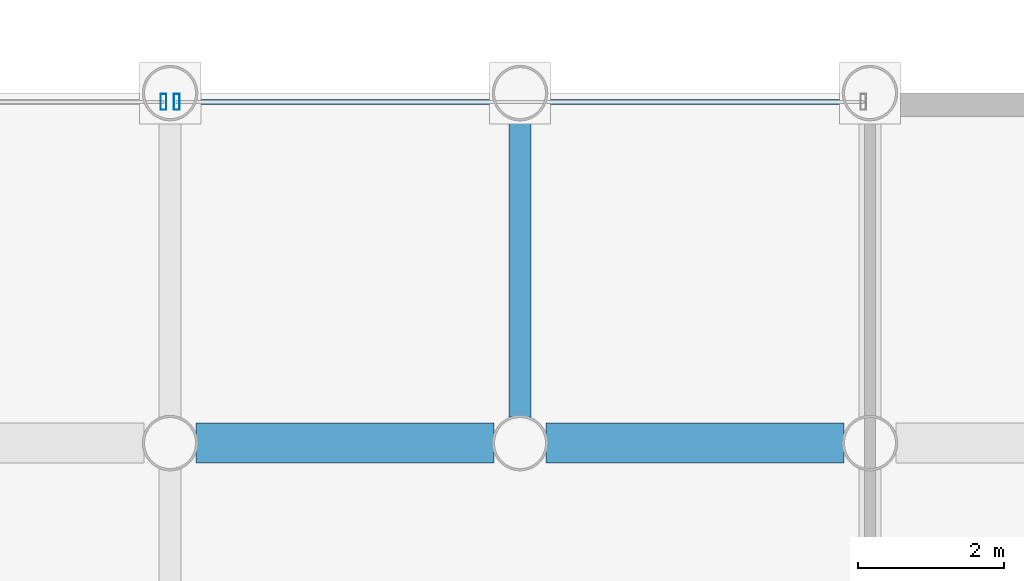
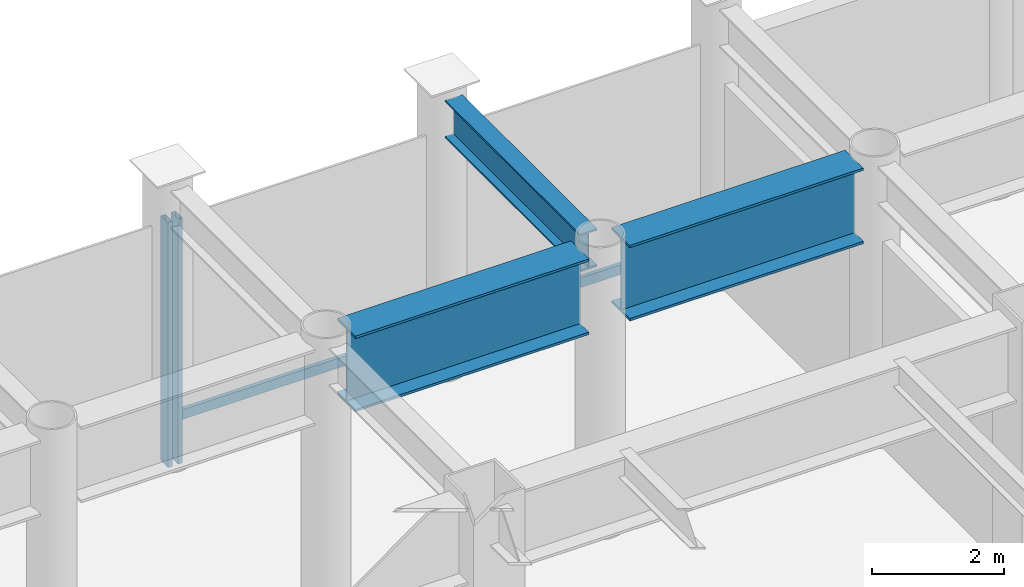
# One storey, part 10 of 20: 3 beams, 3 members, 2 elements without a shape of their own.
"""IFC4 building model written with IfcOpenShell, lengths in metres."""

from ifc_helpers import new_model, si_unit, direction, frame, origin, origin_2d, place, context, subcontext, project, spatial, hollow_rectangle, i_section, extrude, material, layer, layer_set, material_profile, profile_set, type_object, element, aggregate, save


model = new_model("IFC4")

# Units and contexts
model_context = context("Model", 3, precision=1e-05, world=origin(), true_north=direction((0.0, 1.0)))
body_context = subcontext(model_context, "Body", "Model", "MODEL_VIEW")
ifc_project = project(units=[si_unit("LENGTHUNIT", "METRE"), si_unit("AREAUNIT", "SQUARE_METRE"), si_unit("VOLUMEUNIT", "CUBIC_METRE"), si_unit("PLANEANGLEUNIT", "RADIAN"), si_unit("MASSUNIT", "GRAM", prefix="KILO")], contexts=[model_context])

# Site, building, storey
site_placement = place(None, origin())
site = spatial("IfcSite", under=ifc_project, at=site_placement, CompositionType="ELEMENT")
building_placement = place(site_placement, origin())
building = spatial("IfcBuilding", under=site, at=building_placement, Name="Kallvorn Hotel Tower", CompositionType="ELEMENT")
storey_placement = place(building_placement, frame((0.0, 0.0, 24.60009765625)))
storey = spatial("IfcBuildingStorey", under=building, at=storey_placement, Name="L04", CompositionType="ELEMENT", Elevation=24.60009765625)

# Beams
ifc_material_1 = material(Name="Structural steel S355JR", Category="steel")
ifc_material_profile_1 = material_profile(ifc_material_1, i_section(OverallWidth=0.300048828125, OverallDepth=0.699951171875, WebThickness=0.01708984375, FlangeThickness=0.031982421875, at=origin_2d()), Name="HE 700 B")
ifc_profile_set_1 = profile_set([ifc_material_profile_1], Name="Structural steel S355JR")
beam_type_1 = type_object("IfcBeamType", Name="BM_HE700B", PredefinedType="BEAM", material=ifc_profile_set_1)
beam_placement = place(storey_placement, frame((9.60009765625, 19.555908203125, 4.869873046875), z_axis=(0.0, 1.0, 0.0), x_axis=(-1.0, 0.0, 0.0)))
element("IfcBeam", 1, at=beam_placement, inside=storey, type_object=beam_type_1, Name="L05 Primary Y-Girder 145", PredefinedType="BEAM", context=body_context, shape_type="SweptSolid", body=[
    extrude(i_section(OverallWidth=0.300048828125, OverallDepth=0.699951171875, WebThickness=0.01708984375, FlangeThickness=0.031982421875, at=origin_2d()), origin(), (0.0, 0.0, 1.0), 4.088134765625),
])
ifc_material_2 = material(Name="Structural steel S355JR", Category="steel")
ifc_material_profile_2 = material_profile(ifc_material_2, i_section(OverallWidth=0.550048828125, OverallDepth=1.39990234375, WebThickness=0.02490234375, FlangeThickness=0.044921875, at=origin_2d()), Name="PG 1400x550x25x45")
ifc_profile_set_2 = profile_set([ifc_material_profile_2], Name="Structural steel S355JR")
beam_type_2 = type_object("IfcBeamType", Name="BM_PG_1400", PredefinedType="BEAM", material=ifc_profile_set_2)
for number, where, z_axis, x_axis, name in (
    (2, (5.156005859375, 19.199951171875, 4.52001953125), (1.0, 0.0, 0.0), (0.0, 1.0, 0.0), "L05 Primary X-Girder 82"),
    (3, (9.9560546875, 19.199951171875, 4.52001953125), (1.0, 0.0, 0.0), (0.0, 1.0, 0.0), "L05 Primary X-Girder 83"),
):
    element("IfcBeam", number, at=place(storey_placement, frame(where, z_axis=z_axis, x_axis=x_axis)), inside=storey, type_object=beam_type_2, Name=name, PredefinedType="BEAM", context=body_context, shape_type="SweptSolid", body=[
        extrude(i_section(OverallWidth=0.550048828125, OverallDepth=1.39990234375, WebThickness=0.02490234375, FlangeThickness=0.044921875, at=origin_2d()), origin(), (0.0, 0.0, 1.0), 4.087890625),
    ])

# Curtain wall, member
ifc_material_3 = material(Name="Thermally broken black-anodised aluminium AA 6063-T6", Category="aluminium")
ifc_layer = layer(ifc_material_3, 0.219970703125)
ifc_layer_set = layer_set([ifc_layer], Name="CW_SYS_2_PODIUM_CASC")
curtain_wall_type = type_object("IfcCurtainWallType", Name="CW_SYS_2_PODIUM_CASC", PredefinedType="USERDEFINED", material=ifc_layer_set)
curtain_wall_1_placement = place(storey_placement, origin())
curtain_wall_1 = element("IfcCurtainWall", 4, at=curtain_wall_1_placement, inside=storey, type_object=curtain_wall_type, Name="L04 Dark-Glass Curtain Wall CW-L04-N2", ObjectType="UNITISED CURTAIN WALL", PredefinedType="USERDEFINED")
ifc_material_4 = material(Name="Thermally broken black-anodised aluminium AA 6063-T6", Category="aluminium")
ifc_material_profile_3 = material_profile(ifc_material_4, hollow_rectangle(XDim=0.080078125, YDim=0.219970703125, WallThickness=0.0048828125, at=origin_2d()), Name="MUL 220x80")
ifc_profile_set_3 = profile_set([ifc_material_profile_3], Name="Thermally broken black-anodised aluminium AA 6063-T6")
member_type_1 = type_object("IfcMemberType", Name="CW_MULLION_220x80", PredefinedType="MULLION", material=ifc_profile_set_3)
member_1_placement = place(storey_placement, frame((4.7099609375, 23.8798828125, 0.02001953125), z_axis=(0.0, 0.0, 1.0), x_axis=(1.0, 0.0, 0.0)))
member_1 = element("IfcMember", 5, at=member_1_placement, type_object=member_type_1, Name="CW-L04-N2 Mullion 01", PredefinedType="MULLION", context=body_context, shape_type="SweptSolid", body=[
    extrude(hollow_rectangle(XDim=0.080078125, YDim=0.219970703125, WallThickness=0.0048828125, at=origin_2d()), origin(), (0.0, 0.0, 1.0), 4.52978515625),
])
aggregate(curtain_wall_1, [member_1])

# Curtain wall, members
curtain_wall_2_placement = place(storey_placement, origin())
curtain_wall_2 = element("IfcCurtainWall", 6, at=curtain_wall_2_placement, inside=storey, type_object=curtain_wall_type, Name="L04 Dark-Glass Curtain Wall CW-L04-N3", ObjectType="UNITISED CURTAIN WALL", PredefinedType="USERDEFINED")
member_2_placement = place(storey_placement, frame((4.889892578125, 23.8798828125, 0.02001953125), z_axis=(0.0, 0.0, 1.0), x_axis=(1.0, 0.0, 0.0)))
member_2 = element("IfcMember", 7, at=member_2_placement, type_object=member_type_1, Name="CW-L04-N3 Mullion 00", PredefinedType="MULLION", context=body_context, shape_type="SweptSolid", body=[
    extrude(hollow_rectangle(XDim=0.080078125, YDim=0.219970703125, WallThickness=0.0048828125, at=origin_2d()), origin(), (0.0, 0.0, 1.0), 4.52978515625),
])
ifc_material_5 = material(Name="Thermally broken black-anodised aluminium AA 6063-T6", Category="aluminium")
ifc_material_profile_4 = material_profile(ifc_material_5, hollow_rectangle(XDim=0.070068359375, YDim=0.179931640625, WallThickness=0.00390625, at=origin_2d()), Name="TRN 180x70")
ifc_profile_set_4 = profile_set([ifc_material_profile_4], Name="Thermally broken black-anodised aluminium AA 6063-T6")
member_type_2 = type_object("IfcMemberType", Name="CW_TRANSOM_180x70", PredefinedType="USERDEFINED", material=ifc_profile_set_4)
member_3_placement = place(storey_placement, frame((4.889892578125, 23.8798828125, 0.849853515625), z_axis=(1.0, 0.0, 0.0), x_axis=(0.0, 1.0, 0.0)))
member_3 = element("IfcMember", 8, at=member_3_placement, type_object=member_type_2, Name="CW-L04-N3 Transom 00M", ObjectType="TRANSOM", PredefinedType="USERDEFINED", context=body_context, shape_type="SweptSolid", body=[
    extrude(hollow_rectangle(XDim=0.070068359375, YDim=0.179931640625, WallThickness=0.00390625, at=origin_2d()), origin(), (0.0, 0.0, 1.0), 9.420166015625),
])
aggregate(curtain_wall_2, [member_2, member_3])

save(model, "model.ifc")
